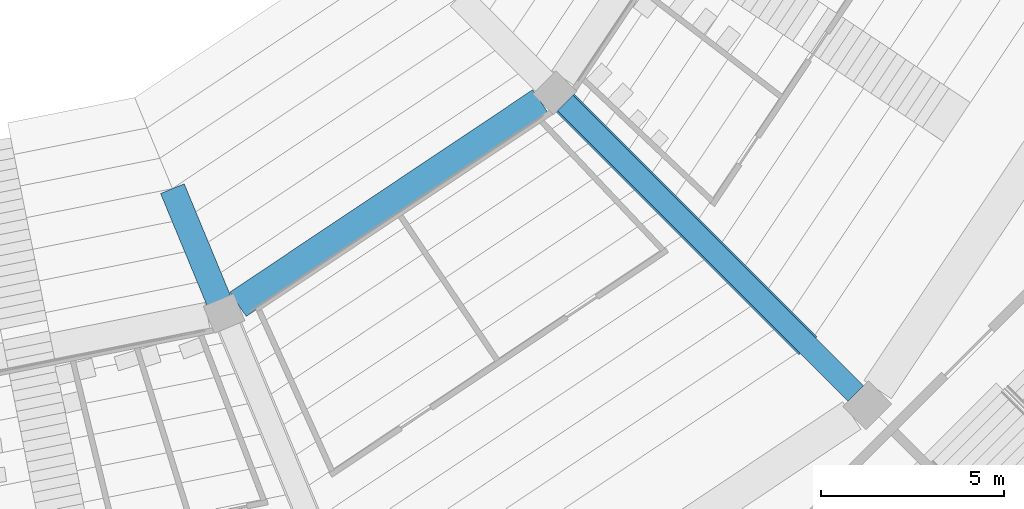
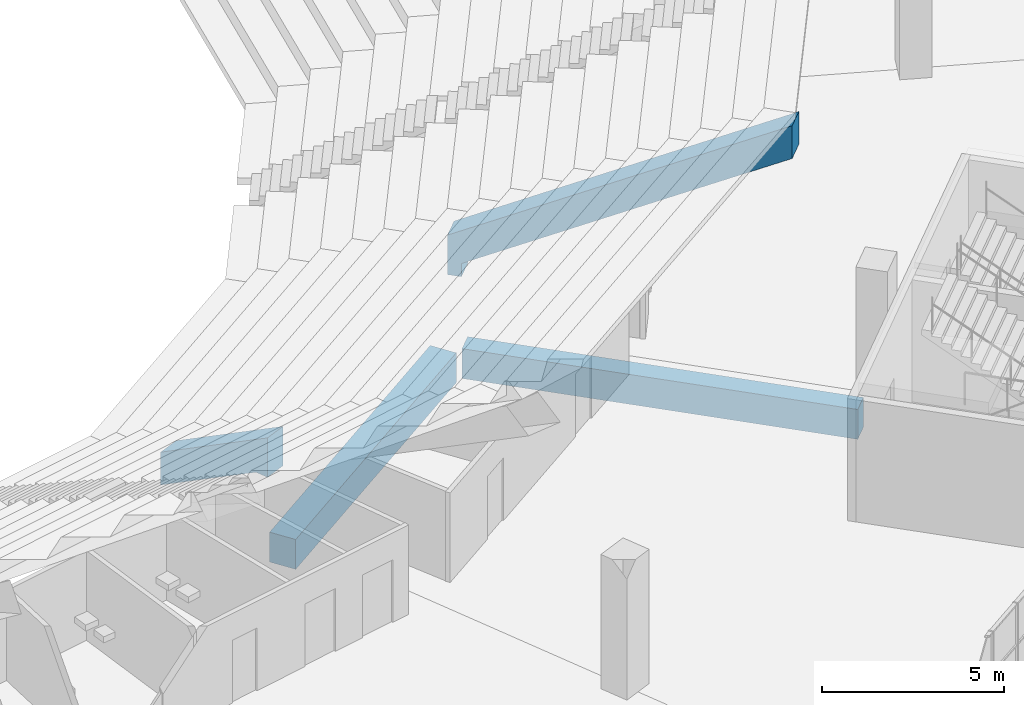
# One storey, part 28 of 249: 4 beams.
"""IFC4 building model written with IfcOpenShell, lengths in metres."""

from ifc_helpers import new_model, si_unit, direction, frame, origin, origin_2d, place, context, subcontext, project, spatial, polyline, rectangle, outline, extrude, material, material_profile, profile_set, type_object, element, save


model = new_model("IFC4")

# Units and contexts
model_context = context("Model", 3, precision=1e-05, world=origin(), true_north=direction((0.0, 1.0)))
body_context = subcontext(model_context, "Body", "Model", "MODEL_VIEW")
ifc_project = project(units=[si_unit("LENGTHUNIT", "METRE"), si_unit("AREAUNIT", "SQUARE_METRE"), si_unit("VOLUMEUNIT", "CUBIC_METRE"), si_unit("PLANEANGLEUNIT", "RADIAN"), si_unit("MASSUNIT", "GRAM", prefix="KILO")], contexts=[model_context])

# Site, building, storey
site_placement = place(None, origin())
site = spatial("IfcSite", under=ifc_project, at=site_placement, CompositionType="ELEMENT")
building_placement = place(site_placement, origin())
building = spatial("IfcBuilding", under=site, at=building_placement, Name="Ogive Plaza Stadium", CompositionType="ELEMENT")
storey_placement = place(building_placement, frame((0.0, 0.0, 13.5)))
storey = spatial("IfcBuildingStorey", under=building, at=storey_placement, Name="L03", CompositionType="ELEMENT", Elevation=13.5)

# Beams
ifc_material_1 = material(Name="Concrete C45/55 precast", Category="concrete")
ifc_material_profile_1 = material_profile(ifc_material_1, rectangle(XDim=0.699951171875, YDim=1.10009765625, at=origin_2d()), Name="RC 700x1100")
ifc_profile_set_1 = profile_set([ifc_material_profile_1], Name="Concrete C45/55 precast")
beam_type_1 = type_object("IfcBeamType", Name="Precast raker UT back-span 700x1100", PredefinedType="USERDEFINED", material=ifc_profile_set_1)
beam_1_placement = place(storey_placement, frame((34.0, -52.5, -13.5), z_axis=(0.0, 0.0, 1.0), x_axis=(0.707106781187, -0.707106781187, 0.0)))
element("IfcBeam", 1, at=beam_1_placement, inside=storey, type_object=beam_type_1, Name="RAKER UT BACK-SPAN R10", ObjectType="RAKER", PredefinedType="USERDEFINED", context=body_context, shape_type="SweptSolid", body=[
    extrude(outline(polyline([(27.89990234375, 15.533203125), (28.300048828125, 15.533203125), (28.300048828125, 15.977783203125), (37.699951171875, 21.199951171875), (37.699951171875, 22.300048828125), (27.89990234375, 16.855712890625), (27.89990234375, 15.533203125)])), frame((0.0, 0.35009765625, 0.0), z_axis=(0.0, -1.0, 0.0), x_axis=(1.0, 0.0, 0.0)), (0.0, 0.0, 1.0), 0.699951171875),
])
ifc_material_2 = material(Name="Concrete C45/55 precast", Category="concrete")
ifc_material_profile_2 = material_profile(ifc_material_2, rectangle(XDim=0.699951171875, YDim=1.10009765625, at=origin_2d()), Name="RC 700x1100")
ifc_profile_set_2 = profile_set([ifc_material_profile_2], Name="Concrete C45/55 precast")
beam_type_2 = type_object("IfcBeamType", Name="Precast raker UT cantilever 700x1100", PredefinedType="USERDEFINED", material=ifc_profile_set_2)
beam_2_placement = place(storey_placement, frame((34.0, -52.5, -13.5), z_axis=(0.0, 0.0, 1.0), x_axis=(0.382683432365, -0.923879532511, 0.0)))
element("IfcBeam", 2, at=beam_2_placement, inside=storey, type_object=beam_type_2, Name="RAKER UT CANTILEVER R11", ObjectType="RAKER", PredefinedType="USERDEFINED", context=body_context, shape_type="SweptSolid", body=[
    extrude(outline(polyline([(24.199951171875, 13.699951171875), (27.5, 15.533203125), (27.89990234375, 15.533203125), (27.89990234375, 16.855712890625), (24.199951171875, 14.800048828125), (24.199951171875, 13.699951171875)])), frame((0.0, 0.35009765625, 0.0), z_axis=(0.0, -1.0, 0.0), x_axis=(1.0, 0.0, 0.0)), (0.0, 0.0, 1.0), 0.699951171875),
])
ifc_material_3 = material(Name="Concrete C40/50", Category="concrete")
ifc_material_profile_3 = material_profile(ifc_material_3, rectangle(XDim=0.60009765625, YDim=1.0, at=origin_2d()), Name="RC 600x1000")
ifc_profile_set_3 = profile_set([ifc_material_profile_3], Name="Concrete C40/50")
beam_type_3 = type_object("IfcBeamType", Name="RC radial beam 600x1000", PredefinedType="BEAM", material=ifc_profile_set_3)
beam_3_placement = place(storey_placement, frame((54.01123046875, -72.51123046875, -0.909912109375), z_axis=(0.707106781187, -0.707106781187, 0.0), x_axis=(0.707106781187, 0.707106781187, 0.0)))
element("IfcBeam", 3, at=beam_3_placement, inside=storey, type_object=beam_type_3, Name="Radial beam L03 R10 F3F4", PredefinedType="BEAM", context=body_context, shape_type="SweptSolid", body=[
    extrude(rectangle(XDim=0.60009765625, YDim=1.0, at=origin_2d()), origin(), (0.0, 0.0, 1.0), 11.249755859375),
])
ifc_material_4 = material(Name="Concrete C40/50", Category="concrete")
ifc_material_profile_4 = material_profile(ifc_material_4, rectangle(XDim=0.800048828125, YDim=1.0, at=origin_2d()), Name="RC 800x1000")
ifc_profile_set_4 = profile_set([ifc_material_profile_4], Name="Concrete C40/50")
beam_type_4 = type_object("IfcBeamType", Name="RC ring beam 800x1000", PredefinedType="BEAM", material=ifc_profile_set_4)
beam_4_placement = place(storey_placement, frame((53.3466796875, -72.483154296875, -0.909912109375), z_axis=(-0.831469573595, -0.555570290949, 0.0), x_axis=(0.555570290949, -0.831469573595, 0.0)))
element("IfcBeam", 4, at=beam_4_placement, inside=storey, type_object=beam_type_4, Name="Ring beam F3 L03 B10", PredefinedType="BEAM", context=body_context, shape_type="SweptSolid", body=[
    extrude(rectangle(XDim=0.800048828125, YDim=1.0, at=origin_2d()), origin(), (0.0, 0.0, 1.0), 9.96826171875),
])

save(model, "model.ifc")
